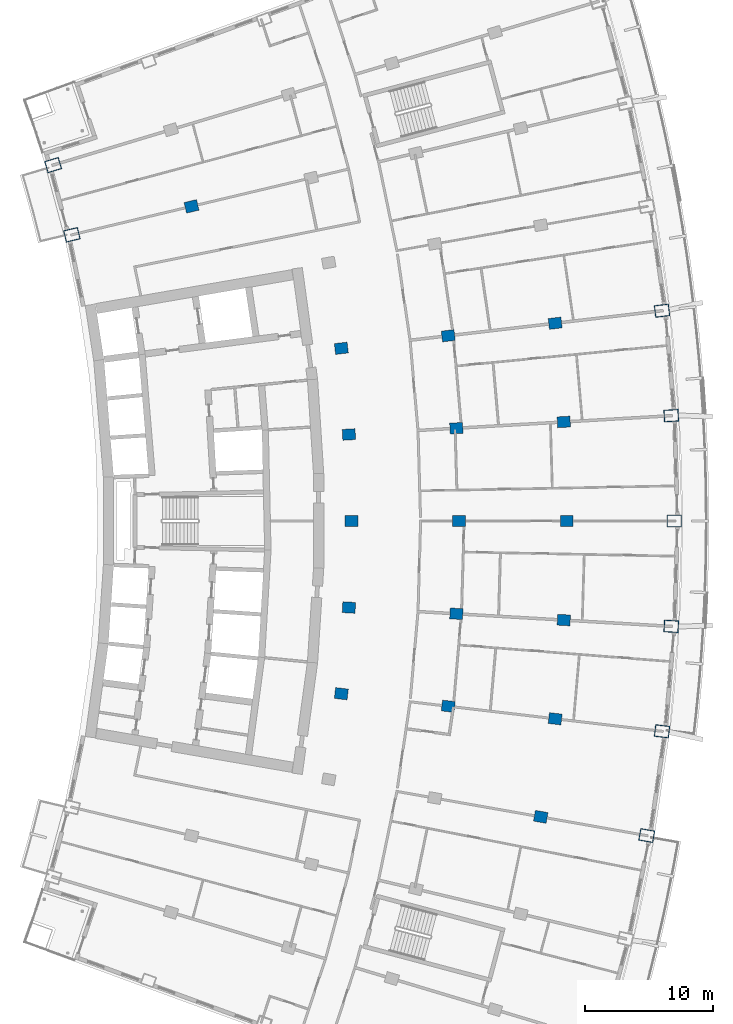
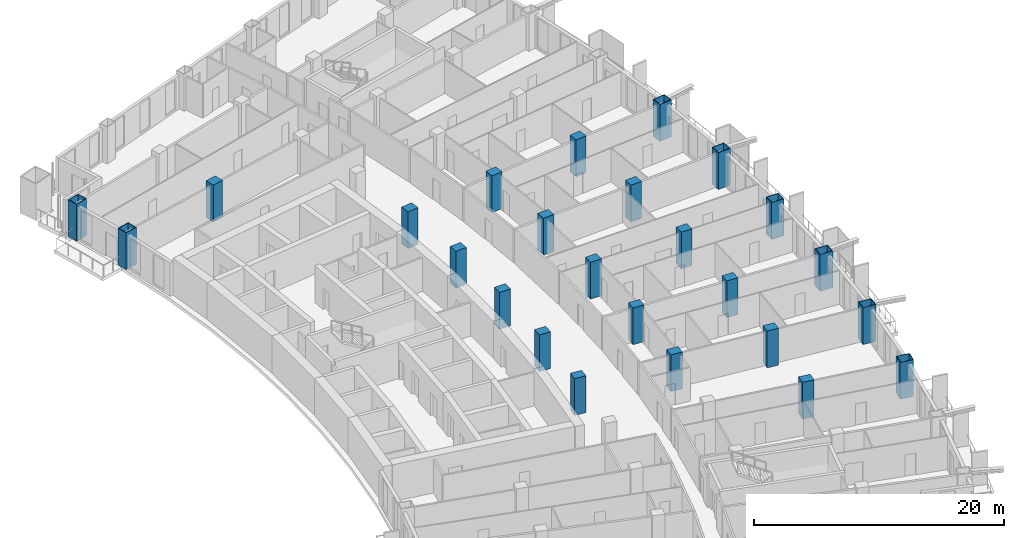
# One storey, part 6 of 25: 25 columns.
"""IFC4 building model written with IfcOpenShell, lengths in metres."""

from ifc_helpers import new_model, si_unit, direction, frame, origin, origin_2d, place, context, subcontext, project, spatial, rectangle, hollow_rectangle, extrude, material, material_profile, profile_set, type_object, element, save


model = new_model("IFC4")

# Units and contexts
model_context = context("Model", 3, precision=1e-05, world=origin(), true_north=direction((0.0, 1.0)))
body_context = subcontext(model_context, "Body", "Model", "MODEL_VIEW")
ifc_project = project(units=[si_unit("LENGTHUNIT", "METRE"), si_unit("AREAUNIT", "SQUARE_METRE"), si_unit("VOLUMEUNIT", "CUBIC_METRE"), si_unit("PLANEANGLEUNIT", "RADIAN"), si_unit("MASSUNIT", "GRAM", prefix="KILO")], contexts=[model_context])

# Site, building, storey
site_placement = place(None, origin())
site = spatial("IfcSite", under=ifc_project, at=site_placement, CompositionType="ELEMENT")
building_placement = place(site_placement, origin())
building = spatial("IfcBuilding", under=site, at=building_placement, Name="Alderwake Tower", CompositionType="ELEMENT")
storey_placement = place(building_placement, frame((0.0, 0.0, 107.60009765625)))
storey = spatial("IfcBuildingStorey", under=building, at=storey_placement, Name="L26", CompositionType="ELEMENT", Elevation=107.60009765625)

# Columns
ifc_material_1 = material(Name="Concrete C70/85", Category="concrete")
ifc_material_profile_1 = material_profile(ifc_material_1, rectangle(XDim=0.85009765625, YDim=1.0, at=origin_2d()), Name="RC 1000X850")
ifc_profile_set_1 = profile_set([ifc_material_profile_1], Name="Concrete C70/85")
column_type_1 = type_object("IfcColumnType", Name="Interior column Z2", PredefinedType="COLUMN", material=ifc_profile_set_1)
for number, where, z_axis, x_axis, name in (
    (1, (50.57470703125, 37.913330078125, 0.0), (0.0, 0.0, 1.0), (0.174107082075, 0.984726725529, 0.0), "Column R04-C4"),
    (2, (35.0126953125, 47.5205078125, 0.0), (0.0, 0.0, 1.0), (0.116402054316, 0.993202175668, 0.0), "Column R05-C2"),
    (3, (43.355712890625, 46.542724609375, 0.0), (0.0, 0.0, 1.0), (0.116402054316, 0.993202175668, 0.0), "Column R05-C3"),
    (4, (51.698486328125, 45.565185546875, 0.0), (0.0, 0.0, 1.0), (0.116402054316, 0.993202175668, 0.0), "Column R05-C4"),
    (5, (35.60302734375, 54.248779296875, 0.0), (0.0, 0.0, 1.0), (0.058301061284, 0.998299046505, 0.0), "Column R06-C2"),
    (6, (43.98876953125, 53.759033203125, 0.0), (0.0, 0.0, 1.0), (0.058301061284, 0.998299046505, 0.0), "Column R06-C3"),
    (7, (52.37451171875, 53.269287109375, 0.0), (0.0, 0.0, 1.0), (0.058299318924, 0.998299148258, 0.0), "Column R06-C4"),
    (8, (35.800048828125, 61.0, 0.0), (0.0, 0.0, 1.0), (0.0, 1.0, 0.0), "Column R07-C2"),
    (9, (44.199951171875, 61.0, 0.0), (0.0, 0.0, 1.0), (0.0, 1.0, 0.0), "Column R07-C3"),
    (10, (52.60009765625, 61.0, 0.0), (0.0, 0.0, 1.0), (0.0, 1.0, 0.0), "Column R07-C4"),
    (11, (35.60302734375, 67.751220703125, 0.0), (0.0, 0.0, 1.0), (-0.058301061284, 0.998299046505, 0.0), "Column R08-C2"),
    (12, (43.98876953125, 68.240966796875, 0.0), (0.0, 0.0, 1.0), (-0.058301061284, 0.998299046505, 0.0), "Column R08-C3"),
    (13, (52.37451171875, 68.730712890625, 0.0), (0.0, 0.0, 1.0), (-0.058299318924, 0.998299148258, 0.0), "Column R08-C4"),
    (14, (35.0126953125, 74.4794921875, 0.0), (0.0, 0.0, 1.0), (-0.116402054316, 0.993202175668, 0.0), "Column R09-C2"),
    (15, (43.355712890625, 75.457275390625, 0.0), (0.0, 0.0, 1.0), (-0.116402054316, 0.993202175668, 0.0), "Column R09-C3"),
    (16, (51.698486328125, 76.434814453125, 0.0), (0.0, 0.0, 1.0), (-0.116402054316, 0.993202175668, 0.0), "Column R09-C4"),
    (17, (23.322021484375, 85.555908203125, 0.0), (0.0, 0.0, 1.0), (-0.231221547198, 0.972901123502, 0.0), "Column R11-C1"),
):
    element("IfcColumn", number, at=place(storey_placement, frame(where, z_axis=z_axis, x_axis=x_axis)), inside=storey, type_object=column_type_1, Name=name, PredefinedType="COLUMN", context=body_context, shape_type="SweptSolid", body=[
        extrude(rectangle(XDim=0.85009765625, YDim=1.0, at=origin_2d()), origin(), (0.0, 0.0, 1.0), 3.599853515625),
    ])
ifc_material_2 = material(Name="Steel ASTM A572 Grade 50 concrete filled C70/85", Category="concrete")
ifc_material_profile_2 = material_profile(ifc_material_2, hollow_rectangle(XDim=0.949951171875, YDim=1.14990234375, WallThickness=0.06005859375, at=origin_2d()), Name="BOX 1150X950X60")
ifc_profile_set_2 = profile_set([ifc_material_profile_2], Name="Steel ASTM A572 Grade 50 concrete filled C70/85")
column_type_2 = type_object("IfcColumnType", Name="Perimeter column Z2", PredefinedType="COLUMN", material=ifc_profile_set_2)
for number, where, z_axis, x_axis, name in (
    (18, (58.846435546875, 36.45068359375, 0.0), (0.0, 0.0, 1.0), (0.174107082075, 0.984726725529, 0.0), "Column R04-C5"),
    (19, (60.04150390625, 44.58740234375, 0.0), (0.0, 0.0, 1.0), (0.116402054316, 0.993202175668, 0.0), "Column R05-C5"),
    (20, (60.76025390625, 52.77978515625, 0.0), (0.0, 0.0, 1.0), (0.058299318924, 0.998299148258, 0.0), "Column R06-C5"),
    (21, (61.0, 61.0, 0.0), (0.0, 0.0, 1.0), (0.0, 1.0, 0.0), "Column R07-C5"),
    (22, (60.76025390625, 69.22021484375, 0.0), (0.0, 0.0, 1.0), (-0.058299318924, 0.998299148258, 0.0), "Column R08-C5"),
    (23, (60.04150390625, 77.41259765625, 0.0), (0.0, 0.0, 1.0), (-0.116402054316, 0.993202175668, 0.0), "Column R09-C5"),
    (24, (13.982177734375, 83.3359375, 0.0), (0.0, 0.0, 1.0), (-0.231221547198, 0.972901123502, 0.0), "Column R11-C0"),
    (25, (12.520263671875, 88.777099609375, 0.0), (0.0, 0.0, 1.0), (-0.287549418125, 0.957765802342, 0.0), "Column R12-C0"),
):
    element("IfcColumn", number, at=place(storey_placement, frame(where, z_axis=z_axis, x_axis=x_axis)), inside=storey, type_object=column_type_2, Name=name, PredefinedType="COLUMN", context=body_context, shape_type="SweptSolid", body=[
        extrude(hollow_rectangle(XDim=0.949951171875, YDim=1.14990234375, WallThickness=0.06005859375, at=origin_2d()), origin(), (0.0, 0.0, 1.0), 3.599853515625),
    ])

save(model, "model.ifc")
